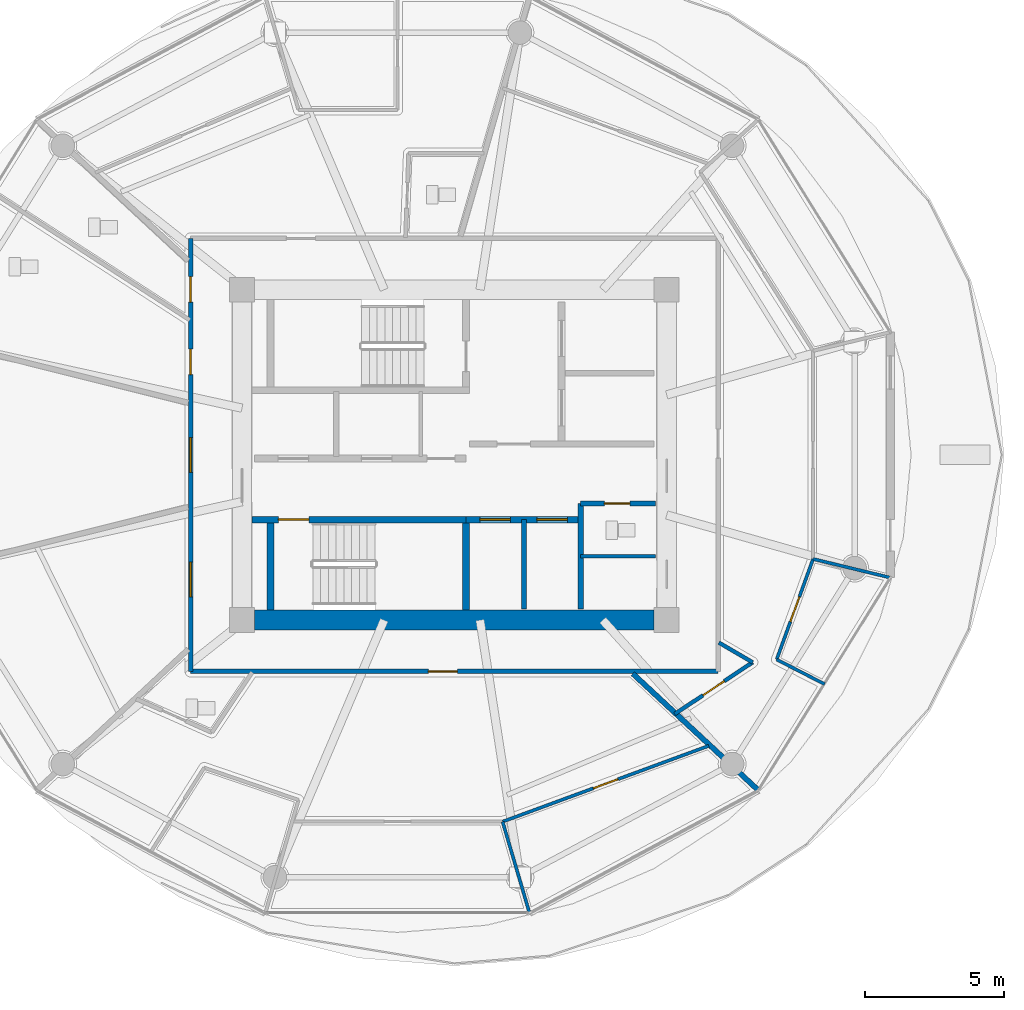
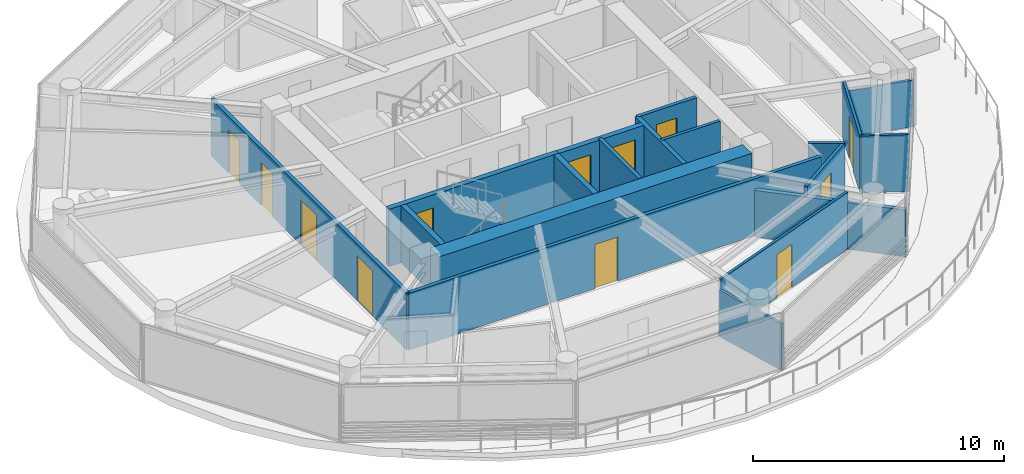
# One storey, part 18 of 32: 19 walls, 12 doors, 12 openings.
"""IFC4 building model written with IfcOpenShell, lengths in metres."""

import ifcopenshell
import ifcopenshell.guid

model = None  # the IFC model being written
_history = None  # IfcOwnerHistory: only IFC2X3 demands one
_inside = {}  # id of a spatial element -> (the spatial element, [elements in it])
_under = {}  # id of a project, library or spatial element -> (it, [spatial elements below it])
_declared = {}  # id of a project -> (the project, [libraries it declares])
_typed = {}  # id of a type object -> (the type object, [elements of that type])
_made_of = {}  # id of a material, layer set ... -> (it, [elements and type objects made of it])


def new_model(schema):
    """Start an empty IFC model of exactly this schema.

    Asked for "IFC4X3", IfcOpenShell would pick the latest addendum, in which some entities
    have other attributes; the version numbers below select the first issue.
    IFC2X3 requires an IfcOwnerHistory on every rooted entity: one is made here for all.
    """
    global model, _history
    if schema == "IFC4X3":
        model = ifcopenshell.file(schema_version=(4, 3, 0, 0))
    else:
        model = ifcopenshell.file(schema=schema)
    _inside.clear()
    _under.clear()
    _declared.clear()
    _typed.clear()
    _made_of.clear()
    _history = None
    if model.schema == "IFC2X3":
        org = make("IfcOrganization", Name="unknown")
        user = make(
            "IfcPersonAndOrganization",
            ThePerson=make("IfcPerson", FamilyName="unknown"),
            TheOrganization=org,
        )
        app = make(
            "IfcApplication",
            ApplicationDeveloper=org,
            Version="unknown",
            ApplicationFullName="unknown",
            ApplicationIdentifier="unknown",
        )
        _history = make(
            "IfcOwnerHistory",
            OwningUser=user,
            OwningApplication=app,
            ChangeAction="ADDED",
            CreationDate=0,
        )
    return model


def make(cls, **values):
    """One entity of the class cls with the attributes given. An attribute that is None is left unset."""
    return model.create_entity(
        cls, **{name: value for name, value in values.items() if value is not None}
    )


def rooted(cls, **values):
    """An entity with a GlobalId (a new one), such as an element, a storey or a relation."""
    return make(cls, GlobalId=ifcopenshell.guid.new(), OwnerHistory=_history, **values)


def si_unit(unit_type, name, prefix=None):
    """IfcSIUnit, for example si_unit("LENGTHUNIT", "METRE", prefix="MILLI")."""
    return make("IfcSIUnit", UnitType=unit_type, Prefix=prefix, Name=name)


def assignment(units):
    """IfcUnitAssignment: the units of a project."""
    return None if units is None else make("IfcUnitAssignment", Units=units)


def point(xyz):
    """IfcCartesianPoint."""
    return None if xyz is None else make("IfcCartesianPoint", Coordinates=xyz)


def direction(xyz):
    """IfcDirection."""
    return None if xyz is None else make("IfcDirection", DirectionRatios=xyz)


def frame(location, z_axis=None, x_axis=None):
    """IfcAxis2Placement3D, a coordinate frame: its origin and axes. An axis left out is left unset."""
    return make(
        "IfcAxis2Placement3D",
        Location=point(location),
        Axis=direction(z_axis),
        RefDirection=direction(x_axis),
    )


def frame_2d(location, x_axis=None):
    """IfcAxis2Placement2D, a coordinate frame in the plane: its origin and x axis."""
    return make(
        "IfcAxis2Placement2D", Location=point(location), RefDirection=direction(x_axis)
    )


def origin():
    """The frame at (0, 0, 0) with its axes left unset."""
    return frame((0.0, 0.0, 0.0))


def place(relative_to, where):
    """IfcLocalPlacement: puts the frame where relative to a parent placement (None: the world)."""
    return make(
        "IfcLocalPlacement", PlacementRelTo=relative_to, RelativePlacement=where
    )


def context(
    kind, dimensions, precision=None, world=None, true_north=None, identifier=None
):
    """IfcGeometricRepresentationContext, for example the 3D "Model" context."""
    return make(
        "IfcGeometricRepresentationContext",
        ContextIdentifier=identifier,
        ContextType=kind,
        CoordinateSpaceDimension=dimensions,
        Precision=precision,
        WorldCoordinateSystem=world,
        TrueNorth=true_north,
    )


def subcontext(parent, identifier, kind, view, scale=None):
    """IfcGeometricRepresentationSubContext, for example "Body" below "Model"."""
    return make(
        "IfcGeometricRepresentationSubContext",
        ContextIdentifier=identifier,
        ContextType=kind,
        ParentContext=parent,
        TargetScale=scale,
        TargetView=view,
    )


def project(units=None, contexts=None):
    """IfcProject with its units and contexts."""
    return rooted(
        "IfcProject",
        Name="project",
        RepresentationContexts=contexts,
        UnitsInContext=assignment(units),
    )


def spatial(cls, under=None, at=None, **own):
    """A site, building, storey or space (cls), placed at a placement, below another one or the project."""
    s = rooted(cls, ObjectPlacement=at, **own)
    if under is not None:
        _under.setdefault(under.id(), (under, []))[1].append(s)
    return s


def profile(cls, at=None, kind="AREA", **sizes):
    """A parametric profile (cls). Its sizes go by their IFC names, for example OverallWidth=200.0."""
    return make(cls, ProfileType=kind, Position=at, **sizes)


def rectangle(**sizes):
    """IfcRectangleProfileDef."""
    return profile("IfcRectangleProfileDef", **sizes)


def extrude(swept, where, along, depth):
    """IfcExtrudedAreaSolid: the profile swept, set in the frame where, extruded along a direction by depth."""
    return make(
        "IfcExtrudedAreaSolid",
        SweptArea=swept,
        Position=where,
        ExtrudedDirection=direction(along),
        Depth=depth,
    )


def shape(context_of_items, identifier, shape_type, items):
    """IfcShapeRepresentation: the items that make up one representation, for example the "Body"."""
    return make(
        "IfcShapeRepresentation",
        ContextOfItems=context_of_items,
        RepresentationIdentifier=identifier,
        RepresentationType=shape_type,
        Items=items,
    )


def source(mapping_origin, context_of_items, identifier, shape_type, items):
    """IfcRepresentationMap: a shape defined once, which mapped items show again and again."""
    return make(
        "IfcRepresentationMap",
        MappingOrigin=mapping_origin,
        MappedRepresentation=shape(context_of_items, identifier, shape_type, items),
    )


def transform(
    local_origin,
    x_axis=None,
    y_axis=None,
    z_axis=None,
    scale=None,
    scale2=None,
    scale3=None,
    uniform=True,
):
    """IfcCartesianTransformationOperator3D, or its non-uniform kind. x_axis, y_axis, z_axis: its Axis1, 2, 3."""
    if uniform:
        return make(
            "IfcCartesianTransformationOperator3D",
            Axis1=direction(x_axis),
            Axis2=direction(y_axis),
            LocalOrigin=point(local_origin),
            Scale=scale,
            Axis3=direction(z_axis),
        )
    return make(
        "IfcCartesianTransformationOperator3DnonUniform",
        Axis1=direction(x_axis),
        Axis2=direction(y_axis),
        LocalOrigin=point(local_origin),
        Scale=scale,
        Axis3=direction(z_axis),
        Scale2=scale2,
        Scale3=scale3,
    )


def mapped(mapping_source, mapping_target):
    """IfcMappedItem: shows the shape of a source again, moved by a transform."""
    return make(
        "IfcMappedItem", MappingSource=mapping_source, MappingTarget=mapping_target
    )


def material(Name=None, Category=None):
    """IfcMaterial."""
    return make("IfcMaterial", Name=Name, Category=Category)


def layer(
    of_material, thickness, ventilated=None, Name=None, Category=None, Priority=None
):
    """IfcMaterialLayer: one layer of a wall or slab, of a material (None: an air gap)."""
    return make(
        "IfcMaterialLayer",
        Material=of_material,
        LayerThickness=thickness,
        IsVentilated=ventilated,
        Name=Name,
        Category=Category,
        Priority=Priority,
    )


def layer_set(layers, Name=None):
    """IfcMaterialLayerSet."""
    return make("IfcMaterialLayerSet", MaterialLayers=layers, LayerSetName=Name)


def made_of(thing, what):
    """Note that an element or type object is made of a material, layer set ...; save() writes the relation."""
    if what is not None:
        _made_of.setdefault(what.id(), (what, []))[1].append(thing)
    return thing


def type_object(cls, material=None, **own):
    """A type object (cls), such as IfcWallType, which elements share."""
    return made_of(rooted(cls, **own), material)


def type_shapes(of_type, sources):
    """Give a type object the sources (RepresentationMaps) that its elements show as mapped items."""
    of_type.RepresentationMaps = sources


def element(
    cls,
    number,
    at=None,
    inside=None,
    cuts=None,
    type_object=None,
    material=None,
    context=None,
    identifier="Body",
    shape_type=None,
    held_by="IfcProductDefinitionShape",
    body=None,
    shapes=None,
    **own,
):
    """One element of the class cls, such as IfcWall. Its Tag is "e" and its number.

    at: its placement. inside: the storey or other place that contains it. cuts: it is an
    opening in that element (IfcRelVoidsElement). A single representation is given by context,
    identifier, shape_type and body (its items); several are given by shapes. held_by: the class
    of the entity that holds the representations. save() writes the other relations.
    """
    e = rooted(cls, Tag="e%d" % number, ObjectPlacement=at, **own)
    if body is not None:
        shapes = [shape(context, identifier, shape_type, body)]
    if shapes is not None:
        e.Representation = make(held_by, Representations=shapes)
    if inside is not None:
        _inside.setdefault(inside.id(), (inside, []))[1].append(e)
    if cuts is not None:
        rooted(
            "IfcRelVoidsElement", RelatingBuildingElement=cuts, RelatedOpeningElement=e
        )
    if type_object is not None:
        _typed.setdefault(type_object.id(), (type_object, []))[1].append(e)
    return made_of(e, material)


def fill(opening, filler):
    """IfcRelFillsElement: the door or window that sits in an opening."""
    return rooted(
        "IfcRelFillsElement",
        RelatingOpeningElement=opening,
        RelatedBuildingElement=filler,
    )


def aggregate(whole, parts):
    """IfcRelAggregates: a whole, such as a stair, and the parts it consists of."""
    return rooted("IfcRelAggregates", RelatingObject=whole, RelatedObjects=parts)


def save(model, path):
    """Write the relations noted so far, then the file.

    IfcRelAggregates (storeys below a building ...), IfcRelContainedInSpatialStructure (elements
    in a storey), IfcRelDefinesByType, IfcRelAssociatesMaterial and IfcRelDeclares: one each for
    every whole, place, type object, material and project.
    """
    for whole, parts in _under.values():
        aggregate(whole, parts)
    for where, things in _inside.values():
        rooted(
            "IfcRelContainedInSpatialStructure",
            RelatedElements=things,
            RelatingStructure=where,
        )
    for kind, things in _typed.values():
        rooted("IfcRelDefinesByType", RelatedObjects=things, RelatingType=kind)
    for what, things in _made_of.values():
        rooted("IfcRelAssociatesMaterial", RelatedObjects=things, RelatingMaterial=what)
    for by, libraries in _declared.values():
        rooted("IfcRelDeclares", RelatingContext=by, RelatedDefinitions=libraries)
    model.write(path)


model = new_model("IFC4")

# Units and contexts
model_context = context("Model", 3, precision=1e-05, world=origin(), true_north=direction((0.0, 1.0)))
body_context = subcontext(model_context, "Body", "Model", "MODEL_VIEW")
ifc_project = project(units=[si_unit("LENGTHUNIT", "METRE"), si_unit("AREAUNIT", "SQUARE_METRE"), si_unit("VOLUMEUNIT", "CUBIC_METRE"), si_unit("PLANEANGLEUNIT", "RADIAN"), si_unit("MASSUNIT", "GRAM", prefix="KILO")], contexts=[model_context])

# Site, building, storey
site_placement = place(None, origin())
site = spatial("IfcSite", under=ifc_project, at=site_placement, CompositionType="ELEMENT")
building_placement = place(site_placement, origin())
building = spatial("IfcBuilding", under=site, at=building_placement, Name="Norrkilde Senior Care Towers", CompositionType="ELEMENT")
storey_placement = place(building_placement, frame((0.0, 0.0, 77.949951171875)))
storey = spatial("IfcBuildingStorey", under=building, at=storey_placement, Name="L23", CompositionType="ELEMENT", Elevation=77.949951171875)

# Walls
ifc_material_1 = material(Name="Concrete C60/75", Category="concrete")
ifc_layer_1 = layer(ifc_material_1, 0.719970703125)
ifc_layer_set_1 = layer_set([ifc_layer_1], Name="Concrete C60/75")
wall_type_1 = type_object("IfcWallType", Name="Core Shear Wall Z2 720", PredefinedType="SHEAR", material=ifc_layer_set_1)
shared_shape_1 = source(origin(), body_context, "Body", "SweptSolid", [
    extrude(rectangle(XDim=14.39990234375, YDim=0.719970703125, at=frame_2d((7.199951171875, 0.0))), origin(), (0.0, 0.0, 1.0), 2.7900390625),
])
type_shapes(wall_type_1, [shared_shape_1])
wall_1_placement = place(storey_placement, frame((35.199951171875, -5.949951171875, 0.0), z_axis=(0.0, 0.0, 1.0), x_axis=(-1.0, 0.0, 0.0)))
element("IfcWall", 1, at=wall_1_placement, inside=storey, type_object=wall_type_1, Name="L23 Core E South Shear Wall", PredefinedType="SHEAR", context=body_context, shape_type="MappedRepresentation", body=[
    mapped(shared_shape_1, transform((0.0, 0.0, 0.0), x_axis=(1.0, 0.0, 0.0), y_axis=(0.0, 1.0, 0.0), z_axis=(0.0, 0.0, 1.0), scale=1.0)),
])
ifc_material_2 = material(Name="Concrete C45/55", Category="concrete")
ifc_layer_2 = layer(ifc_material_2, 0.199951171875)
ifc_layer_set_2 = layer_set([ifc_layer_2], Name="Concrete C45/55")
wall_type_2 = type_object("IfcWallType", Name="Shaft Division and Plant Partition 200", PredefinedType="PARTITIONING", material=ifc_layer_set_2)
shared_shape_2 = source(origin(), body_context, "Body", "SweptSolid", [
    extrude(rectangle(XDim=3.800048828125, YDim=0.199951171875, at=frame_2d((1.89990234375, 0.0))), origin(), (0.0, 0.0, 1.0), 2.775146484375),
])
type_shapes(wall_type_2, [shared_shape_2])
wall_2_placement = place(storey_placement, frame((32.550048828125, -5.550048828125, 0.0), z_axis=(0.0, 0.0, 1.0), x_axis=(0.0, 1.0, 0.0)))
element("IfcWall", 2, at=wall_2_placement, inside=storey, type_object=wall_type_2, Name="WL-INT-L23-E-PKBE", PredefinedType="PARTITIONING", context=body_context, shape_type="MappedRepresentation", body=[
    mapped(shared_shape_2, transform((0.0, 0.0, 0.0), x_axis=(1.0, 0.0, 0.0), y_axis=(0.0, 1.0, 0.0), z_axis=(0.0, 0.0, 1.0), scale=1.0)),
])

# Wall, openings, doors
ifc_layer_3 = layer(ifc_material_2, 0.239990234375)
ifc_layer_set_3 = layer_set([ifc_layer_3], Name="Concrete C45/55")
wall_type_3 = type_object("IfcWallType", Name="Lift and Plant Rated Enclosure Partition 240", PredefinedType="PARTITIONING", material=ifc_layer_set_3)
shared_shape_3 = source(origin(), body_context, "Body", "SweptSolid", [
    extrude(rectangle(XDim=4.130126953125, YDim=0.239990234375, at=frame_2d((2.06494140625, 0.0))), origin(), (0.0, 0.0, 1.0), 2.775146484375),
])
type_shapes(wall_type_3, [shared_shape_3])
wall_3_placement = place(storey_placement, frame((28.419921875, -2.330078125, 0.0), z_axis=(0.0, 0.0, 1.0), x_axis=(1.0, 0.0, 0.0)))
wall_3 = element("IfcWall", 3, at=wall_3_placement, inside=storey, type_object=wall_type_3, Name="WL-INT-L23-E-PKBN", PredefinedType="PARTITIONING", context=body_context, shape_type="MappedRepresentation", body=[
    mapped(shared_shape_3, transform((0.0, 0.0, 0.0), x_axis=(1.0, 0.0, 0.0), y_axis=(0.0, 1.0, 0.0), z_axis=(0.0, 0.0, 1.0), scale=1.0)),
])
opening_1_placement = place(wall_3_placement, frame((0.5, 0.0, 0.0)))
opening_1 = element("IfcOpeningElement", 4, at=opening_1_placement, cuts=wall_3, Name="Opening LD-01", PredefinedType="OPENING", context=body_context, shape_type="SweptSolid", body=[
    extrude(rectangle(XDim=1.10009765625, YDim=2.199951171875, at=frame_2d((0.550048828125, 1.10009765625))), frame((0.0, 0.1298828125, 0.0), z_axis=(0.0, -1.0, 0.0), x_axis=(1.0, 0.0, 0.0)), (0.0, 0.0, 1.0), 0.260009765625),
])
opening_2_placement = place(wall_3_placement, frame((2.550048828125, 0.0, 0.0)))
opening_2 = element("IfcOpeningElement", 5, at=opening_2_placement, cuts=wall_3, Name="Opening LD-01", PredefinedType="OPENING", context=body_context, shape_type="SweptSolid", body=[
    extrude(rectangle(XDim=1.10009765625, YDim=2.199951171875, at=frame_2d((0.550048828125, 1.10009765625))), frame((0.0, 0.1298828125, 0.0), z_axis=(0.0, -1.0, 0.0), x_axis=(1.0, 0.0, 0.0)), (0.0, 0.0, 1.0), 0.260009765625),
])
ifc_material_3 = material(Name="Stainless Steel", Category="steel")
door_type_1 = type_object("IfcDoorType", Name="Lift Landing Sliding Door 1100x2200", OperationType="NOTDEFINED", PredefinedType="DOOR", material=ifc_material_3)
shared_shape_4 = source(origin(), body_context, "Body", "SweptSolid", [
    extrude(rectangle(XDim=1.10009765625, YDim=2.199951171875, at=frame_2d((0.550048828125, 1.10009765625))), frame((0.0, 0.02490234375, 0.0), z_axis=(0.0, -1.0, 0.0), x_axis=(1.0, 0.0, 0.0)), (0.0, 0.0, 1.0), 0.050048828125),
])
type_shapes(door_type_1, [shared_shape_4])
door_1_placement = place(opening_1_placement, frame((1.10009765625, 0.0, 0.0), z_axis=(0.0, 0.0, 1.0), x_axis=(-1.0, 0.0, 0.0)))
door_1 = element("IfcDoor", 6, at=door_1_placement, inside=storey, type_object=door_type_1, Name="L23 Passenger Lift E3 Landing Door", OperationType="SLIDING_TO_LEFT", OverallHeight=2.199951171875, OverallWidth=1.10009765625, PredefinedType="DOOR", context=body_context, shape_type="MappedRepresentation", body=[
    mapped(shared_shape_4, transform((0.0, 0.0, 0.0), x_axis=(1.0, 0.0, 0.0), y_axis=(0.0, 1.0, 0.0), z_axis=(0.0, 0.0, 1.0), scale=1.0)),
])
fill(opening_1, door_1)
door_2_placement = place(opening_2_placement, frame((1.10009765625, 0.0, 0.0), z_axis=(0.0, 0.0, 1.0), x_axis=(-1.0, 0.0, 0.0)))
door_2 = element("IfcDoor", 7, at=door_2_placement, inside=storey, type_object=door_type_1, Name="L23 Passenger Lift E4 Landing Door", OperationType="SLIDING_TO_RIGHT", OverallHeight=2.199951171875, OverallWidth=1.10009765625, PredefinedType="DOOR", context=body_context, shape_type="MappedRepresentation", body=[
    mapped(shared_shape_4, transform((0.0, 0.0, 0.0), x_axis=(1.0, 0.0, 0.0), y_axis=(0.0, 1.0, 0.0), z_axis=(0.0, 0.0, 1.0), scale=1.0)),
])
fill(opening_2, door_2)

# Wall
ifc_layer_4 = layer(ifc_material_2, 0.179931640625)
ifc_layer_set_4 = layer_set([ifc_layer_4], Name="Concrete C45/55")
wall_type_4 = type_object("IfcWallType", Name="Hoistway Division Rated Partition 180", PredefinedType="PARTITIONING", material=ifc_layer_set_4)
shared_shape_5 = source(origin(), body_context, "Body", "SweptSolid", [
    extrude(rectangle(XDim=3.219970703125, YDim=0.179931640625, at=frame_2d((1.60986328125, 0.0))), origin(), (0.0, 0.0, 1.0), 2.775146484375),
])
type_shapes(wall_type_4, [shared_shape_5])
wall_4_placement = place(storey_placement, frame((30.5, -5.550048828125, 0.0), z_axis=(0.0, 0.0, 1.0), x_axis=(0.0, 1.0, 0.0)))
element("IfcWall", 8, at=wall_4_placement, inside=storey, type_object=wall_type_4, Name="WL-INT-L23-E-PL34", PredefinedType="PARTITIONING", context=body_context, shape_type="MappedRepresentation", body=[
    mapped(shared_shape_5, transform((0.0, 0.0, 0.0), x_axis=(1.0, 0.0, 0.0), y_axis=(0.0, 1.0, 0.0), z_axis=(0.0, 0.0, 1.0), scale=1.0)),
])

# Wall, opening, door
ifc_material_4 = material(Name="Gypsum Acoustic Board")
ifc_layer_5 = layer(ifc_material_4, 0.1650390625)
ifc_layer_set_5 = layer_set([ifc_layer_5], Name="Gypsum Acoustic Board")
wall_type_5 = type_object("IfcWallType", Name="Corridor Rated Partition 165", PredefinedType="PARTITIONING", material=ifc_layer_set_5)
shared_shape_6 = source(origin(), body_context, "Body", "SweptSolid", [
    extrude(rectangle(XDim=2.699951171875, YDim=0.1650390625, at=frame_2d((1.35009765625, 0.0))), origin(), (0.0, 0.0, 1.0), 2.775146484375),
])
wall_5_placement = place(storey_placement, frame((32.550048828125, -1.75, 0.0), z_axis=(0.0, 0.0, 1.0), x_axis=(1.0, 0.0, 0.0)))
wall_5 = element("IfcWall", 9, at=wall_5_placement, inside=storey, type_object=wall_type_5, Name="WL-INT-L23-E-CSN", PredefinedType="PARTITIONING", context=body_context, shape_type="MappedRepresentation", body=[
    mapped(shared_shape_6, transform((0.0, 0.0, 0.0), x_axis=(1.0, 0.0, 0.0), y_axis=(0.0, 1.0, 0.0), z_axis=(0.0, 0.0, 1.0), scale=1.0)),
])
opening_3_placement = place(wall_5_placement, frame((0.85009765625, 0.0, 0.0)))
opening_3 = element("IfcOpeningElement", 10, at=opening_3_placement, cuts=wall_5, Name="Opening D-12", PredefinedType="OPENING", context=body_context, shape_type="SweptSolid", body=[
    extrude(rectangle(XDim=0.925048828125, YDim=2.10009765625, at=frame_2d((0.46240234375, 1.050048828125))), frame((0.0, 0.092529296875, 0.0), z_axis=(0.0, -1.0, 0.0), x_axis=(1.0, 0.0, 0.0)), (0.0, 0.0, 1.0), 0.18505859375),
])
ifc_material_5 = material(Name="Galvanised Painted Steel", Category="steel")
door_type_2 = type_object("IfcDoorType", Name="Core Wet Room Rated Door 925x2100", OperationType="NOTDEFINED", PredefinedType="DOOR", material=ifc_material_5)
shared_shape_7 = source(origin(), body_context, "Body", "SweptSolid", [
    extrude(rectangle(XDim=0.925048828125, YDim=2.10009765625, at=frame_2d((0.46240234375, 1.050048828125))), frame((0.0, 0.02490234375, 0.0), z_axis=(0.0, -1.0, 0.0), x_axis=(1.0, 0.0, 0.0)), (0.0, 0.0, 1.0), 0.050048828125),
])
type_shapes(door_type_2, [shared_shape_7])
door_3_placement = place(opening_3_placement, origin())
door_3 = element("IfcDoor", 11, at=door_3_placement, inside=storey, type_object=door_type_2, Name="L23 Staff WC E Door", OperationType="SINGLE_SWING_LEFT", OverallHeight=2.10009765625, OverallWidth=0.925048828125, PredefinedType="DOOR", context=body_context, shape_type="MappedRepresentation", body=[
    mapped(shared_shape_7, transform((0.0, 0.0, 0.0), x_axis=(1.0, 0.0, 0.0), y_axis=(0.0, 1.0, 0.0), z_axis=(0.0, 0.0, 1.0), scale=1.0)),
])
fill(opening_3, door_3)

shared_shape_8 = source(origin(), body_context, "Body", "SweptSolid", [
    extrude(rectangle(XDim=19.0, YDim=0.1650390625, at=frame_2d((9.5, 0.0))), origin(), (0.0, 0.0, 1.0), 2.775146484375),
])
wall_6_placement = place(storey_placement, frame((37.5, -7.800048828125, 0.0), z_axis=(0.0, 0.0, 1.0), x_axis=(-1.0, 0.0, 0.0)))
wall_6 = element("IfcWall", 12, at=wall_6_placement, inside=storey, type_object=wall_type_5, Name="WL-INT-L23-E-CRW-S-0", PredefinedType="PARTITIONING", context=body_context, shape_type="MappedRepresentation", body=[
    mapped(shared_shape_8, transform((0.0, 0.0, 0.0), x_axis=(1.0, 0.0, 0.0), y_axis=(0.0, 1.0, 0.0), z_axis=(0.0, 0.0, 1.0), scale=1.0)),
])
opening_4_placement = place(wall_6_placement, frame((9.387939453125, 0.0, 0.0)))
opening_4 = element("IfcOpeningElement", 13, at=opening_4_placement, cuts=wall_6, Name="Opening D-06", PredefinedType="OPENING", context=body_context, shape_type="SweptSolid", body=[
    extrude(rectangle(XDim=1.050048828125, YDim=2.14990234375, at=frame_2d((0.52490234375, 1.074951171875))), frame((0.0, 0.092529296875, 0.0), z_axis=(0.0, -1.0, 0.0), x_axis=(1.0, 0.0, 0.0)), (0.0, 0.0, 1.0), 0.18505859375),
])
ifc_material_6 = material(Name="Nordic Ash Timber", Category="wood")
door_type_3 = type_object("IfcDoorType", Name="Apartment Entrance Fire Door 1050x2150", OperationType="NOTDEFINED", PredefinedType="DOOR", material=ifc_material_6)
shared_shape_9 = source(origin(), body_context, "Body", "SweptSolid", [
    extrude(rectangle(XDim=1.050048828125, YDim=2.14990234375, at=frame_2d((0.52490234375, 1.074951171875))), frame((0.0, 0.02490234375, 0.0), z_axis=(0.0, -1.0, 0.0), x_axis=(1.0, 0.0, 0.0)), (0.0, 0.0, 1.0), 0.050048828125),
])
type_shapes(door_type_3, [shared_shape_9])
door_4_placement = place(opening_4_placement, frame((1.050048828125, 0.0, 0.0), z_axis=(0.0, 0.0, 1.0), x_axis=(-1.0, 0.0, 0.0)))
door_4 = element("IfcDoor", 14, at=door_4_placement, inside=storey, type_object=door_type_3, Name="Apartment 23A Entrance Door", OperationType="SINGLE_SWING_RIGHT", OverallHeight=2.14990234375, OverallWidth=1.050048828125, PredefinedType="DOOR", context=body_context, shape_type="MappedRepresentation", body=[
    mapped(shared_shape_9, transform((0.0, 0.0, 0.0), x_axis=(1.0, 0.0, 0.0), y_axis=(0.0, 1.0, 0.0), z_axis=(0.0, 0.0, 1.0), scale=1.0)),
])
fill(opening_4, door_4)

# Wall, openings, doors
shared_shape_10 = source(origin(), body_context, "Body", "SweptSolid", [
    extrude(rectangle(XDim=15.60009765625, YDim=0.1650390625, at=frame_2d((7.800048828125, 0.0))), origin(), (0.0, 0.0, 1.0), 2.775146484375),
])
type_shapes(wall_type_5, [shared_shape_6, shared_shape_8, shared_shape_10])
wall_7_placement = place(storey_placement, frame((18.5, -7.800048828125, 0.0), z_axis=(0.0, 0.0, 1.0), x_axis=(0.0, 1.0, 0.0)))
wall_7 = element("IfcWall", 15, at=wall_7_placement, inside=storey, type_object=wall_type_5, Name="WL-INT-L23-E-CRW-W-0", PredefinedType="PARTITIONING", context=body_context, shape_type="MappedRepresentation", body=[
    mapped(shared_shape_10, transform((0.0, 0.0, 0.0), x_axis=(1.0, 0.0, 0.0), y_axis=(0.0, 1.0, 0.0), z_axis=(0.0, 0.0, 1.0), scale=1.0)),
])
opening_5_placement = place(wall_7_placement, frame((13.30419921875, 0.0, 0.0)))
opening_5 = element("IfcOpeningElement", 16, at=opening_5_placement, cuts=wall_7, Name="Opening D-08", PredefinedType="OPENING", context=body_context, shape_type="SweptSolid", body=[
    extrude(rectangle(XDim=0.919921875, YDim=2.10009765625, at=frame_2d((0.4599609375, 1.050048828125))), frame((0.0, 0.092529296875, 0.0), z_axis=(0.0, -1.0, 0.0), x_axis=(1.0, 0.0, 0.0)), (0.0, 0.0, 1.0), 0.18505859375),
])
opening_6_placement = place(wall_7_placement, frame((10.689697265625, 0.0, 0.0)))
opening_6 = element("IfcOpeningElement", 17, at=opening_6_placement, cuts=wall_7, Name="Opening D-08", PredefinedType="OPENING", context=body_context, shape_type="SweptSolid", body=[
    extrude(rectangle(XDim=0.919921875, YDim=2.10009765625, at=frame_2d((0.4599609375, 1.050048828125))), frame((0.0, 0.092529296875, 0.0), z_axis=(0.0, -1.0, 0.0), x_axis=(1.0, 0.0, 0.0)), (0.0, 0.0, 1.0), 0.18505859375),
])
opening_7_placement = place(wall_7_placement, frame((7.175048828125, 0.0, 0.0)))
opening_7 = element("IfcOpeningElement", 18, at=opening_7_placement, cuts=wall_7, Name="Opening D-05", PredefinedType="OPENING", context=body_context, shape_type="SweptSolid", body=[
    extrude(rectangle(XDim=1.25, YDim=2.199951171875, at=frame_2d((0.625, 1.10009765625))), frame((0.0, 0.092529296875, 0.0), z_axis=(0.0, -1.0, 0.0), x_axis=(1.0, 0.0, 0.0)), (0.0, 0.0, 1.0), 0.18505859375),
])
opening_8_placement = place(wall_7_placement, frame((2.68603515625, 0.0, 0.0)))
opening_8 = element("IfcOpeningElement", 19, at=opening_8_placement, cuts=wall_7, Name="Opening D-05", PredefinedType="OPENING", context=body_context, shape_type="SweptSolid", body=[
    extrude(rectangle(XDim=1.25, YDim=2.199951171875, at=frame_2d((0.625, 1.10009765625))), frame((0.0, 0.092529296875, 0.0), z_axis=(0.0, -1.0, 0.0), x_axis=(1.0, 0.0, 0.0)), (0.0, 0.0, 1.0), 0.18505859375),
])
door_type_4 = type_object("IfcDoorType", Name="Care Bedroom Bariatric Door 1250x2200", OperationType="NOTDEFINED", PredefinedType="DOOR", material=ifc_material_6)
shared_shape_11 = source(origin(), body_context, "Body", "SweptSolid", [
    extrude(rectangle(XDim=1.25, YDim=2.199951171875, at=frame_2d((0.625, 1.10009765625))), frame((0.0, 0.02490234375, 0.0), z_axis=(0.0, -1.0, 0.0), x_axis=(1.0, 0.0, 0.0)), (0.0, 0.0, 1.0), 0.050048828125),
])
type_shapes(door_type_4, [shared_shape_11])
door_5_placement = place(opening_7_placement, frame((1.25, 0.0, 0.0), z_axis=(0.0, 0.0, 1.0), x_axis=(-1.0, 0.0, 0.0)))
door_5 = element("IfcDoor", 20, at=door_5_placement, inside=storey, type_object=door_type_4, Name="L23 Sky-Garden Observatory Dining Salon L23 Door", OperationType="SINGLE_SWING_RIGHT", OverallHeight=2.199951171875, OverallWidth=1.25, PredefinedType="DOOR", context=body_context, shape_type="MappedRepresentation", body=[
    mapped(shared_shape_11, transform((0.0, 0.0, 0.0), x_axis=(1.0, 0.0, 0.0), y_axis=(0.0, 1.0, 0.0), z_axis=(0.0, 0.0, 1.0), scale=1.0)),
])
fill(opening_7, door_5)
door_6_placement = place(opening_8_placement, frame((1.25, 0.0, 0.0), z_axis=(0.0, 0.0, 1.0), x_axis=(-1.0, 0.0, 0.0)))
door_6 = element("IfcDoor", 21, at=door_6_placement, inside=storey, type_object=door_type_4, Name="L23 Senior Wellness Library Lounge Door", OperationType="SINGLE_SWING_LEFT", OverallHeight=2.199951171875, OverallWidth=1.25, PredefinedType="DOOR", context=body_context, shape_type="MappedRepresentation", body=[
    mapped(shared_shape_11, transform((0.0, 0.0, 0.0), x_axis=(1.0, 0.0, 0.0), y_axis=(0.0, 1.0, 0.0), z_axis=(0.0, 0.0, 1.0), scale=1.0)),
])
fill(opening_8, door_6)
door_type_5 = type_object("IfcDoorType", Name="Accessible Wet Room Door 920x2100", OperationType="NOTDEFINED", PredefinedType="DOOR", material=ifc_material_6)
shared_shape_12 = source(origin(), body_context, "Body", "SweptSolid", [
    extrude(rectangle(XDim=0.919921875, YDim=2.10009765625, at=frame_2d((0.4599609375, 1.050048828125))), frame((0.0, 0.02490234375, 0.0), z_axis=(0.0, -1.0, 0.0), x_axis=(1.0, 0.0, 0.0)), (0.0, 0.0, 1.0), 0.050048828125),
])
type_shapes(door_type_5, [shared_shape_12])
door_7_placement = place(opening_5_placement, frame((0.919921875, 0.0, 0.0), z_axis=(0.0, 0.0, 1.0), x_axis=(-1.0, 0.0, 0.0)))
door_7 = element("IfcDoor", 22, at=door_7_placement, inside=storey, type_object=door_type_5, Name="L23 Accessible Restroom Door", OperationType="SINGLE_SWING_LEFT", OverallHeight=2.10009765625, OverallWidth=0.919921875, PredefinedType="DOOR", context=body_context, shape_type="MappedRepresentation", body=[
    mapped(shared_shape_12, transform((0.0, 0.0, 0.0), x_axis=(1.0, 0.0, 0.0), y_axis=(0.0, 1.0, 0.0), z_axis=(0.0, 0.0, 1.0), scale=1.0)),
])
fill(opening_5, door_7)
door_8_placement = place(opening_6_placement, frame((0.919921875, 0.0, 0.0), z_axis=(0.0, 0.0, 1.0), x_axis=(-1.0, 0.0, 0.0)))
door_8 = element("IfcDoor", 23, at=door_8_placement, inside=storey, type_object=door_type_5, Name="L23 Public Restroom Door", OperationType="SINGLE_SWING_RIGHT", OverallHeight=2.10009765625, OverallWidth=0.919921875, PredefinedType="DOOR", context=body_context, shape_type="MappedRepresentation", body=[
    mapped(shared_shape_12, transform((0.0, 0.0, 0.0), x_axis=(1.0, 0.0, 0.0), y_axis=(0.0, 1.0, 0.0), z_axis=(0.0, 0.0, 1.0), scale=1.0)),
])
fill(opening_6, door_8)

# Wall
ifc_layer_6 = layer(ifc_material_4, 0.139892578125)
ifc_layer_set_6 = layer_set([ifc_layer_6], Name="Gypsum Acoustic Board")
wall_type_6 = type_object("IfcWallType", Name="En-suite Wet Room Wall 140", PredefinedType="PARTITIONING", material=ifc_layer_set_6)
shared_shape_13 = source(origin(), body_context, "Body", "SweptSolid", [
    extrude(rectangle(XDim=2.699951171875, YDim=0.139892578125, at=frame_2d((1.35009765625, 0.0))), origin(), (0.0, 0.0, 1.0), 2.775146484375),
])
wall_8_placement = place(storey_placement, frame((32.550048828125, -3.64990234375, 0.0), z_axis=(0.0, 0.0, 1.0), x_axis=(1.0, 0.0, 0.0)))
element("IfcWall", 24, at=wall_8_placement, inside=storey, type_object=wall_type_6, Name="WL-INT-L23-E-CS2H", PredefinedType="PARTITIONING", context=body_context, shape_type="MappedRepresentation", body=[
    mapped(shared_shape_13, transform((0.0, 0.0, 0.0), x_axis=(1.0, 0.0, 0.0), y_axis=(0.0, 1.0, 0.0), z_axis=(0.0, 0.0, 1.0), scale=1.0)),
])

# Wall, opening, door
ifc_layer_7 = layer(ifc_material_2, 0.239990234375)
ifc_layer_set_7 = layer_set([ifc_layer_7], Name="Concrete C45/55")
wall_type_7 = type_object("IfcWallType", Name="Shaft and Stair Enclosure Wall 240", PredefinedType="PARTITIONING", material=ifc_layer_set_7)
shared_shape_14 = source(origin(), body_context, "Body", "SweptSolid", [
    extrude(rectangle(XDim=7.830078125, YDim=0.239990234375, at=frame_2d((3.9150390625, 0.0))), origin(), (0.0, 0.0, 1.0), 2.7900390625),
])
wall_9_placement = place(storey_placement, frame((20.7099609375, -2.330078125, 0.0), z_axis=(0.0, 0.0, 1.0), x_axis=(1.0, 0.0, 0.0)))
wall_9 = element("IfcWall", 25, at=wall_9_placement, inside=storey, type_object=wall_type_7, Name="WL-INT-L23-E-ST2N", PredefinedType="PARTITIONING", context=body_context, shape_type="MappedRepresentation", body=[
    mapped(shared_shape_14, transform((0.0, 0.0, 0.0), x_axis=(1.0, 0.0, 0.0), y_axis=(0.0, 1.0, 0.0), z_axis=(0.0, 0.0, 1.0), scale=1.0)),
])
opening_9_placement = place(wall_9_placement, frame((0.949951171875, 0.0, 0.0)))
opening_9 = element("IfcOpeningElement", 26, at=opening_9_placement, cuts=wall_9, Name="Opening D-03", PredefinedType="OPENING", context=body_context, shape_type="SweptSolid", body=[
    extrude(rectangle(XDim=1.10009765625, YDim=2.14990234375, at=frame_2d((0.550048828125, 1.074951171875))), frame((0.0, 0.1298828125, 0.0), z_axis=(0.0, -1.0, 0.0), x_axis=(1.0, 0.0, 0.0)), (0.0, 0.0, 1.0), 0.260009765625),
])
door_type_6 = type_object("IfcDoorType", Name="Stairwell Protected Fire Door 1100x2150", OperationType="NOTDEFINED", PredefinedType="DOOR", material=ifc_material_5)
shared_shape_15 = source(origin(), body_context, "Body", "SweptSolid", [
    extrude(rectangle(XDim=1.10009765625, YDim=2.14990234375, at=frame_2d((0.550048828125, 1.074951171875))), frame((0.0, 0.02490234375, 0.0), z_axis=(0.0, -1.0, 0.0), x_axis=(1.0, 0.0, 0.0)), (0.0, 0.0, 1.0), 0.050048828125),
])
type_shapes(door_type_6, [shared_shape_15])
door_9_placement = place(opening_9_placement, frame((1.10009765625, 0.0, 0.0), z_axis=(0.0, 0.0, 1.0), x_axis=(-1.0, 0.0, 0.0)))
door_9 = element("IfcDoor", 27, at=door_9_placement, inside=storey, type_object=door_type_6, Name="L23 Stair E2 Fire Door", OperationType="SINGLE_SWING_RIGHT", OverallHeight=2.14990234375, OverallWidth=1.10009765625, PredefinedType="DOOR", context=body_context, shape_type="MappedRepresentation", body=[
    mapped(shared_shape_15, transform((0.0, 0.0, 0.0), x_axis=(1.0, 0.0, 0.0), y_axis=(0.0, 1.0, 0.0), z_axis=(0.0, 0.0, 1.0), scale=1.0)),
])
fill(opening_9, door_9)

# Walls
shared_shape_16 = source(origin(), body_context, "Body", "SweptSolid", [
    extrude(rectangle(XDim=3.14013671875, YDim=0.239990234375, at=frame_2d((1.570068359375, 0.0))), origin(), (0.0, 0.0, 1.0), 2.7900390625),
])
type_shapes(wall_type_7, [shared_shape_14, shared_shape_16])
for number, where, z_axis, x_axis, name in (
    (28, (21.3798828125, -5.590087890625, 0.0), (0.0, 0.0, 1.0), (0.0, 1.0, 0.0), "WL-INT-L23-E-ST2W"),
    (29, (28.419921875, -5.590087890625, 0.0), (0.0, 0.0, 1.0), (0.0, 1.0, 0.0), "WL-INT-L23-E-ST2E"),
):
    element("IfcWall", number, at=place(storey_placement, frame(where, z_axis=z_axis, x_axis=x_axis)), inside=storey, type_object=wall_type_7, Name=name, PredefinedType="PARTITIONING", context=body_context, shape_type="MappedRepresentation", body=[
        mapped(shared_shape_16, transform((0.0, 0.0, 0.0), x_axis=(1.0, 0.0, 0.0), y_axis=(0.0, 1.0, 0.0), z_axis=(0.0, 0.0, 1.0), scale=1.0)),
    ])
ifc_layer_8 = layer(ifc_material_4, 0.18994140625)
ifc_layer_set_8 = layer_set([ifc_layer_8], Name="Gypsum Acoustic Board")
wall_type_8 = type_object("IfcWallType", Name="Unit Demising Acoustic Wall 190", PredefinedType="PARTITIONING", material=ifc_layer_set_8)
shared_shape_17 = source(origin(), body_context, "Body", "SweptSolid", [
    extrude(rectangle(XDim=6.186767578125, YDim=0.18994140625, at=frame_2d((3.09326171875, 0.0))), origin(), (0.0, 0.0, 1.0), 2.275146484375),
])
type_shapes(wall_type_8, [shared_shape_17])
wall_10_placement = place(storey_placement, frame((34.428955078125, -7.8798828125, 0.0), z_axis=(0.0, 0.0, 1.0), x_axis=(0.732501077882, -0.680765870841, 0.0)))
element("IfcWall", 30, at=wall_10_placement, inside=storey, type_object=wall_type_8, Name="WL-INT-L23-E-DEM-10-0", PredefinedType="PARTITIONING", context=body_context, shape_type="MappedRepresentation", body=[
    mapped(shared_shape_17, transform((0.0, 0.0, 0.0), x_axis=(1.0, 0.0, 0.0), y_axis=(0.0, 1.0, 0.0), z_axis=(0.0, 0.0, 1.0), scale=1.0)),
])

# Wall, opening, door
ifc_layer_9 = layer(ifc_material_4, 0.114990234375)
ifc_layer_set_9 = layer_set([ifc_layer_9], Name="Gypsum Acoustic Board")
wall_type_9 = type_object("IfcWallType", Name="Internal Room Partition 115", PredefinedType="PARTITIONING", material=ifc_layer_set_9)
shared_shape_18 = source(origin(), body_context, "Body", "SweptSolid", [
    extrude(rectangle(XDim=7.91259765625, YDim=0.114990234375, at=frame_2d((3.956298828125, 0.0))), origin(), (0.0, 0.0, 1.0), 2.775146484375),
])
wall_11_placement = place(storey_placement, frame((29.73828125, -13.211669921875, 0.0), z_axis=(0.0, 0.0, 1.0), x_axis=(0.938495791702, 0.345290673141, 0.0)))
wall_11 = element("IfcWall", 31, at=wall_11_placement, inside=storey, type_object=wall_type_9, Name="WL-INT-L23-E-UBC-07-2", PredefinedType="PARTITIONING", context=body_context, shape_type="MappedRepresentation", body=[
    mapped(shared_shape_18, transform((0.0, 0.0, 0.0), x_axis=(1.0, 0.0, 0.0), y_axis=(0.0, 1.0, 0.0), z_axis=(0.0, 0.0, 1.0), scale=1.0)),
])
opening_10_placement = place(wall_11_placement, frame((3.481201171875, 0.0, 0.0)))
opening_10 = element("IfcOpeningElement", 32, at=opening_10_placement, cuts=wall_11, Name="Opening D-07", PredefinedType="OPENING", context=body_context, shape_type="SweptSolid", body=[
    extrude(rectangle(XDim=0.949951171875, YDim=2.10009765625, at=frame_2d((0.47509765625, 1.050048828125))), frame((0.0, 0.0673828125, 0.0), z_axis=(0.0, -1.0, 0.0), x_axis=(1.0, 0.0, 0.0)), (0.0, 0.0, 1.0), 0.135009765625),
])
door_type_7 = type_object("IfcDoorType", Name="Internal Suite Bedroom Door 950x2100", OperationType="NOTDEFINED", PredefinedType="DOOR", material=ifc_material_6)
shared_shape_19 = source(origin(), body_context, "Body", "SweptSolid", [
    extrude(rectangle(XDim=0.949951171875, YDim=2.10009765625, at=frame_2d((0.47509765625, 1.050048828125))), frame((0.0, 0.02490234375, 0.0), z_axis=(0.0, -1.0, 0.0), x_axis=(1.0, 0.0, 0.0)), (0.0, 0.0, 1.0), 0.050048828125),
])
type_shapes(door_type_7, [shared_shape_19])
door_10_placement = place(opening_10_placement, frame((0.949951171875, 0.0, 0.0), z_axis=(0.0, 0.0, 1.0), x_axis=(-1.0, 0.0, 0.0)))
door_10 = element("IfcDoor", 33, at=door_10_placement, inside=storey, type_object=door_type_7, Name="Apartment 23A Bedroom 2 Door", OperationType="SINGLE_SWING_RIGHT", OverallHeight=2.10009765625, OverallWidth=0.949951171875, PredefinedType="DOOR", context=body_context, shape_type="MappedRepresentation", body=[
    mapped(shared_shape_19, transform((0.0, 0.0, 0.0), x_axis=(1.0, 0.0, 0.0), y_axis=(0.0, 1.0, 0.0), z_axis=(0.0, 0.0, 1.0), scale=1.0)),
])
fill(opening_10, door_10)

# Walls
shared_shape_20 = source(origin(), body_context, "Body", "SweptSolid", [
    extrude(rectangle(XDim=3.446044921875, YDim=0.114990234375, at=frame_2d((1.72314453125, 0.0))), origin(), (0.0, 0.0, 1.0), 2.275146484375),
])
wall_12_placement = place(storey_placement, frame((29.73828125, -13.211669921875, 0.0), z_axis=(0.0, 0.0, 1.0), x_axis=(0.282599711651, -0.95923792824, 0.0)))
element("IfcWall", 34, at=wall_12_placement, inside=storey, type_object=wall_type_9, Name="WL-INT-L23-E-UBR-07-2", PredefinedType="PARTITIONING", context=body_context, shape_type="MappedRepresentation", body=[
    mapped(shared_shape_20, transform((0.0, 0.0, 0.0), x_axis=(1.0, 0.0, 0.0), y_axis=(0.0, 1.0, 0.0), z_axis=(0.0, 0.0, 1.0), scale=1.0)),
])
shared_shape_21 = source(origin(), body_context, "Body", "SweptSolid", [
    extrude(rectangle(XDim=2.87890625, YDim=0.114990234375, at=frame_2d((1.439453125, 0.0))), origin(), (0.0, 0.0, 1.0), 2.275146484375),
])
wall_13_placement = place(storey_placement, frame((40.9248046875, -3.74951171875, 0.0), z_axis=(0.0, 0.0, 1.0), x_axis=(0.972018140943, -0.234905797454, 0.0)))
element("IfcWall", 35, at=wall_13_placement, inside=storey, type_object=wall_type_9, Name="WL-INT-L23-E-UBR-10-1", PredefinedType="PARTITIONING", context=body_context, shape_type="MappedRepresentation", body=[
    mapped(shared_shape_21, transform((0.0, 0.0, 0.0), x_axis=(1.0, 0.0, 0.0), y_axis=(0.0, 1.0, 0.0), z_axis=(0.0, 0.0, 1.0), scale=1.0)),
])
shared_shape_22 = source(origin(), body_context, "Body", "SweptSolid", [
    extrude(rectangle(XDim=1.407470703125, YDim=0.139892578125, at=frame_2d((0.70361328125, 0.0))), origin(), (0.0, 0.0, 1.0), 2.775146484375),
])
wall_14_placement = place(storey_placement, frame((37.530029296875, -6.761962890625, 0.0), z_axis=(0.0, 0.0, 1.0), x_axis=(0.863539718977, -0.504280828258, 0.0)))
element("IfcWall", 36, at=wall_14_placement, inside=storey, type_object=wall_type_6, Name="WL-INT-L23-E-UBTS-10", PredefinedType="PARTITIONING", context=body_context, shape_type="MappedRepresentation", body=[
    mapped(shared_shape_22, transform((0.0, 0.0, 0.0), x_axis=(1.0, 0.0, 0.0), y_axis=(0.0, 1.0, 0.0), z_axis=(0.0, 0.0, 1.0), scale=1.0)),
])

# Wall, opening, door
shared_shape_23 = source(origin(), body_context, "Body", "SweptSolid", [
    extrude(rectangle(XDim=3.368408203125, YDim=0.139892578125, at=frame_2d((1.68408203125, 0.0))), origin(), (0.0, 0.0, 1.0), 2.775146484375),
])
type_shapes(wall_type_6, [shared_shape_13, shared_shape_22, shared_shape_23])
wall_15_placement = place(storey_placement, frame((38.745361328125, -7.4716796875, 0.0), z_axis=(0.0, 0.0, 1.0), x_axis=(-0.83321925645, -0.552942737253, 0.0)))
wall_15 = element("IfcWall", 37, at=wall_15_placement, inside=storey, type_object=wall_type_6, Name="WL-INT-L23-E-UBTF-10", PredefinedType="PARTITIONING", context=body_context, shape_type="MappedRepresentation", body=[
    mapped(shared_shape_23, transform((0.0, 0.0, 0.0), x_axis=(1.0, 0.0, 0.0), y_axis=(0.0, 1.0, 0.0), z_axis=(0.0, 0.0, 1.0), scale=1.0)),
])
opening_11_placement = place(wall_15_placement, frame((1.224365234375, 0.0, 0.0)))
opening_11 = element("IfcOpeningElement", 38, at=opening_11_placement, cuts=wall_15, Name="Opening D-08", PredefinedType="OPENING", context=body_context, shape_type="SweptSolid", body=[
    extrude(rectangle(XDim=0.919921875, YDim=2.10009765625, at=frame_2d((0.4599609375, 1.050048828125))), frame((0.0, 0.079833984375, 0.0), z_axis=(0.0, -1.0, 0.0), x_axis=(1.0, 0.0, 0.0)), (0.0, 0.0, 1.0), 0.159912109375),
])
door_11_placement = place(opening_11_placement, origin())
door_11 = element("IfcDoor", 39, at=door_11_placement, inside=storey, type_object=door_type_5, Name="Apartment 23B Bathroom Door", OperationType="SINGLE_SWING_RIGHT", OverallHeight=2.10009765625, OverallWidth=0.919921875, PredefinedType="DOOR", context=body_context, shape_type="MappedRepresentation", body=[
    mapped(shared_shape_12, transform((0.0, 0.0, 0.0), x_axis=(1.0, 0.0, 0.0), y_axis=(0.0, 1.0, 0.0), z_axis=(0.0, 0.0, 1.0), scale=1.0)),
])
fill(opening_11, door_11)

# Wall
shared_shape_24 = source(origin(), body_context, "Body", "SweptSolid", [
    extrude(rectangle(XDim=1.9453125, YDim=0.114990234375, at=frame_2d((0.97265625, 0.0))), origin(), (0.0, 0.0, 1.0), 2.775146484375),
])
wall_16_placement = place(storey_placement, frame((39.611083984375, -7.370361328125, 0.0), z_axis=(0.0, 0.0, 1.0), x_axis=(0.889684148329, -0.456576517368, 0.0)))
element("IfcWall", 40, at=wall_16_placement, inside=storey, type_object=wall_type_9, Name="WL-INT-L23-E-UKTS-10", PredefinedType="PARTITIONING", context=body_context, shape_type="MappedRepresentation", body=[
    mapped(shared_shape_24, transform((0.0, 0.0, 0.0), x_axis=(1.0, 0.0, 0.0), y_axis=(0.0, 1.0, 0.0), z_axis=(0.0, 0.0, 1.0), scale=1.0)),
])

# Wall, opening, door
shared_shape_25 = source(origin(), body_context, "Body", "SweptSolid", [
    extrude(rectangle(XDim=3.8515625, YDim=0.114990234375, at=frame_2d((1.92578125, 0.0))), origin(), (0.0, 0.0, 1.0), 2.775146484375),
])
type_shapes(wall_type_9, [shared_shape_18, shared_shape_20, shared_shape_21, shared_shape_24, shared_shape_25])
wall_17_placement = place(storey_placement, frame((39.611083984375, -7.370361328125, 0.0), z_axis=(0.0, 0.0, 1.0), x_axis=(0.340653649518, 0.940188859257, 0.0)))
wall_17 = element("IfcWall", 41, at=wall_17_placement, inside=storey, type_object=wall_type_9, Name="WL-INT-L23-E-UKTF-10", PredefinedType="PARTITIONING", context=body_context, shape_type="MappedRepresentation", body=[
    mapped(shared_shape_25, transform((0.0, 0.0, 0.0), x_axis=(1.0, 0.0, 0.0), y_axis=(0.0, 1.0, 0.0), z_axis=(0.0, 0.0, 1.0), scale=1.0)),
])
opening_12_placement = place(wall_17_placement, frame((1.45068359375, 0.0, 0.0)))
opening_12 = element("IfcOpeningElement", 42, at=opening_12_placement, cuts=wall_17, Name="Opening D-07", PredefinedType="OPENING", context=body_context, shape_type="SweptSolid", body=[
    extrude(rectangle(XDim=0.949951171875, YDim=2.10009765625, at=frame_2d((0.47509765625, 1.050048828125))), frame((0.0, 0.0673828125, 0.0), z_axis=(0.0, -1.0, 0.0), x_axis=(1.0, 0.0, 0.0)), (0.0, 0.0, 1.0), 0.135009765625),
])
door_12_placement = place(opening_12_placement, frame((0.949951171875, 0.0, 0.0), z_axis=(0.0, 0.0, 1.0), x_axis=(-1.0, 0.0, 0.0)))
door_12 = element("IfcDoor", 43, at=door_12_placement, inside=storey, type_object=door_type_7, Name="Apartment 23B Kitchen Door", OperationType="SINGLE_SWING_LEFT", OverallHeight=2.10009765625, OverallWidth=0.949951171875, PredefinedType="DOOR", context=body_context, shape_type="MappedRepresentation", body=[
    mapped(shared_shape_19, transform((0.0, 0.0, 0.0), x_axis=(1.0, 0.0, 0.0), y_axis=(0.0, 1.0, 0.0), z_axis=(0.0, 0.0, 1.0), scale=1.0)),
])
fill(opening_12, door_12)

save(model, "model.ifc")
